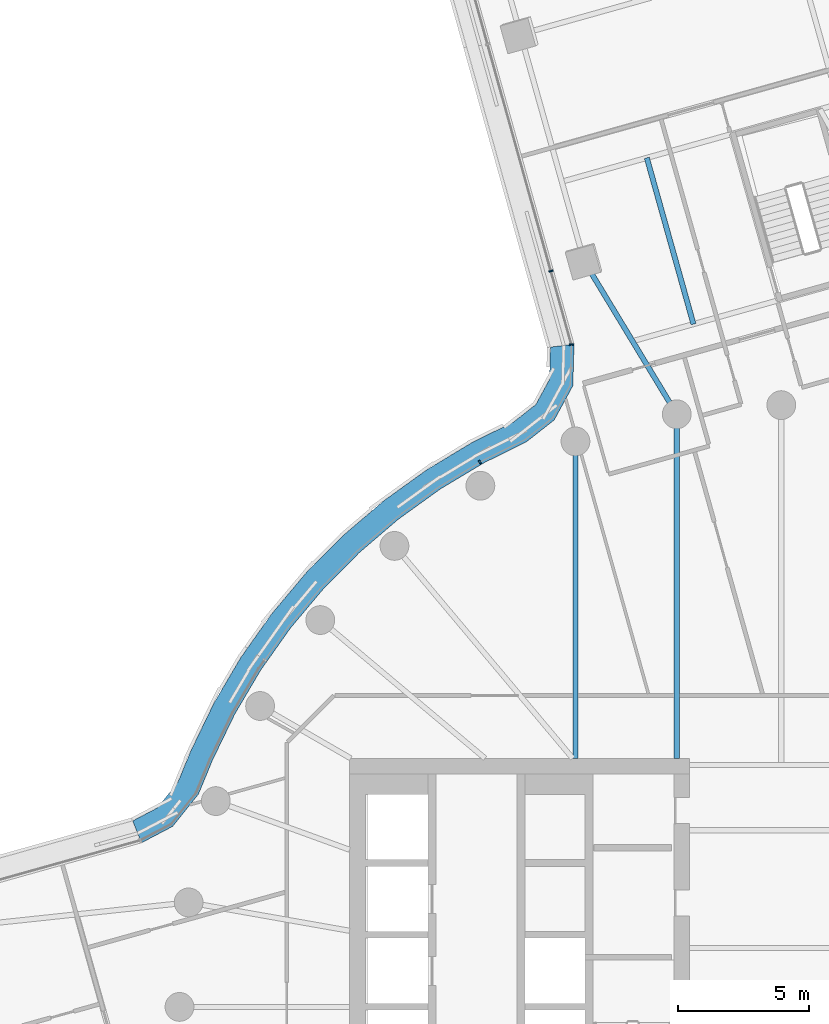
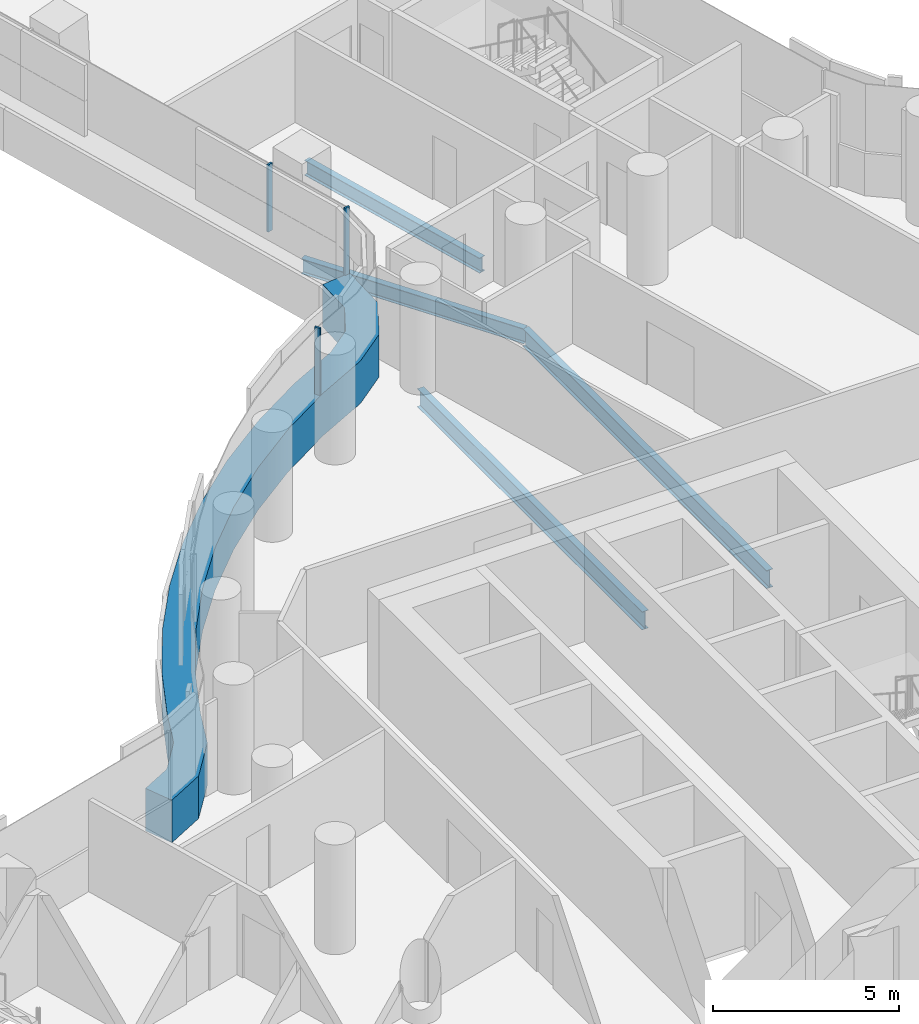
# One storey, part 13 of 30: 4 beams, 4 members, 2 elements without a shape of their own.
"""IFC4 building model written with IfcOpenShell, lengths in metres."""

from ifc_helpers import new_model, si_unit, direction, frame, origin, origin_2d, place, context, subcontext, project, spatial, polyline, rectangle, i_section, outline, extrude, material, layer, layer_set, material_profile, profile_set, type_object, element, aggregate, save


model = new_model("IFC4")

# Units and contexts
model_context = context("Model", 3, precision=1e-05, world=origin(), true_north=direction((0.0, 1.0)))
body_context = subcontext(model_context, "Body", "Model", "MODEL_VIEW")
ifc_project = project(units=[si_unit("LENGTHUNIT", "METRE"), si_unit("AREAUNIT", "SQUARE_METRE"), si_unit("VOLUMEUNIT", "CUBIC_METRE"), si_unit("PLANEANGLEUNIT", "RADIAN"), si_unit("MASSUNIT", "GRAM", prefix="KILO")], contexts=[model_context])

# Site, building, storey
site_placement = place(None, origin())
site = spatial("IfcSite", under=ifc_project, at=site_placement, CompositionType="ELEMENT")
building_placement = place(site_placement, origin())
building = spatial("IfcBuilding", under=site, at=building_placement, Name="Tamarind Cross Interchange Tower", CompositionType="ELEMENT")
storey_placement = place(building_placement, frame((0.0, 0.0, 91.0)))
storey = spatial("IfcBuildingStorey", under=building, at=storey_placement, Name="L21", CompositionType="ELEMENT", Elevation=91.0)

# Beams
ifc_material_1 = material(Name="Steel Q355B", Category="steel")
ifc_material_profile_1 = material_profile(ifc_material_1, i_section(OverallWidth=0.198974609375, OverallDepth=0.49609375, WebThickness=0.009033203125, FlangeThickness=0.013916015625, FilletRadius=0.012939453125, at=origin_2d()), Name="HN 496x199x9x14")
ifc_profile_set_1 = profile_set([ifc_material_profile_1], Name="Steel Q355B")
beam_type_1 = type_object("IfcBeamType", Name="Composite beam HN 496x199x9x14 Q355B", PredefinedType="BEAM", material=ifc_profile_set_1)
beam_1_placement = place(storey_placement, frame((-7.53759765625, 28.505615234375, -0.387939453125), z_axis=(0.517791686406, -0.855506732579, 0.0), x_axis=(0.855506732579, 0.517791686406, 0.0)))
element("IfcBeam", 1, at=beam_1_placement, inside=storey, type_object=beam_type_1, Name="Beam N-linkep", PredefinedType="BEAM", context=body_context, shape_type="SweptSolid", body=[
    extrude(i_section(OverallWidth=0.198974609375, OverallDepth=0.49609375, WebThickness=0.009033203125, FlangeThickness=0.013916015625, FilletRadius=0.012939453125, at=origin_2d()), origin(), (0.0, 0.0, 1.0), 6.843994140625),
])
beam_2_placement = place(storey_placement, frame((-3.356201171875, 26.095703125, -0.387939453125), z_axis=(-0.270115617095, 0.962827893967, 0.0), x_axis=(-0.962827893967, -0.270115617095, 0.0)))
element("IfcBeam", 2, at=beam_2_placement, inside=storey, type_object=beam_type_1, Name="Beam N-stripp", PredefinedType="BEAM", context=body_context, shape_type="SweptSolid", body=[
    extrude(i_section(OverallWidth=0.198974609375, OverallDepth=0.49609375, WebThickness=0.009033203125, FlangeThickness=0.013916015625, FilletRadius=0.012939453125, at=origin_2d()), origin(), (0.0, 0.0, 1.0), 6.599853515625),
])
ifc_material_profile_2 = material_profile(ifc_material_1, i_section(OverallWidth=0.198974609375, OverallDepth=0.595947265625, WebThickness=0.010009765625, FlangeThickness=0.014892578125, FilletRadius=0.012939453125, at=origin_2d()), Name="HN 596x199x10x15")
ifc_profile_set_2 = profile_set([ifc_material_profile_2], Name="Steel Q355B")
beam_type_2 = type_object("IfcBeamType", Name="Composite beam HN 596x199x10x15 Q355B", PredefinedType="BEAM", material=ifc_profile_set_2)
beam_3_placement = place(storey_placement, frame((-3.993896484375, 22.650634765625, -0.43798828125), z_axis=(0.0, -1.0, 0.0), x_axis=(1.0, 0.0, 0.0)))
element("IfcBeam", 3, at=beam_3_placement, inside=storey, type_object=beam_type_2, Name="Beam HH10", PredefinedType="BEAM", context=body_context, shape_type="SweptSolid", body=[
    extrude(i_section(OverallWidth=0.198974609375, OverallDepth=0.595947265625, WebThickness=0.010009765625, FlangeThickness=0.014892578125, FilletRadius=0.012939453125, at=origin_2d()), origin(), (0.0, 0.0, 1.0), 13.150634765625),
])
beam_4_placement = place(storey_placement, frame((-7.866455078125, 21.613037109375, -0.43798828125), z_axis=(0.0, -1.0, 0.0), x_axis=(1.0, 0.0, 0.0)))
element("IfcBeam", 4, at=beam_4_placement, inside=storey, type_object=beam_type_2, Name="Beam HH11", PredefinedType="BEAM", context=body_context, shape_type="SweptSolid", body=[
    extrude(i_section(OverallWidth=0.198974609375, OverallDepth=0.595947265625, WebThickness=0.010009765625, FlangeThickness=0.014892578125, FilletRadius=0.012939453125, at=origin_2d()), origin(), (0.0, 0.0, 1.0), 12.113037109375),
])

# Curtain wall, member
ifc_material_2 = material(Name="Aluminium 6063-T6", Category="aluminium")
ifc_layer = layer(ifc_material_2, 0.159912109375)
ifc_layer_set = layer_set([ifc_layer], Name="Aluminium 6063-T6")
curtain_wall_type = type_object("IfcCurtainWallType", Name="Office curtain wall, 9.0 m bays", PredefinedType="NOTDEFINED", material=ifc_layer_set)
curtain_wall_1_placement = place(storey_placement, origin())
curtain_wall_1 = element("IfcCurtainWall", 5, at=curtain_wall_1_placement, inside=storey, type_object=curtain_wall_type, Name="CWS-L21-10", PredefinedType="NOTDEFINED")
ifc_material_3 = material(Name="Aluminium and insulated spandrel panel", Category="aluminium")
member_type_1 = type_object("IfcMemberType", Name="Floor-edge blade transom", PredefinedType="USERDEFINED", material=ifc_material_3)
member_1_placement = place(storey_placement, origin())
member_1 = element("IfcMember", 6, at=member_1_placement, type_object=member_type_1, Name="CWT-L21-10", ObjectType="TRANSOM", PredefinedType="USERDEFINED", context=body_context, shape_type="SweptSolid", body=[
    extrude(outline(polyline([(-7.920166015625, 25.32861328125), (-7.9658203125, 23.739013671875), (-8.677734375, 22.4296875), (-9.740478515625, 21.595947265625), (-11.367431640625, 20.791015625), (-13.045654296875, 19.78125), (-14.634521484375, 18.636474609375), (-16.12353515625, 17.3642578125), (-17.50244140625, 15.973388671875), (-18.76171875, 14.4736328125), (-19.892822265625, 12.874755859375), (-20.88818359375, 11.188232421875), (-21.7421875, 9.421875), (-22.275390625, 8.130126953125), (-23.25927734375, 6.89794921875), (-24.455078125, 6.27001953125), (-24.78955078125, 7.11083984375), (-23.844970703125, 7.607177734375), (-23.058349609375, 8.591796875), (-22.56396484375, 9.789794921875), (-21.68212890625, 11.613525390625), (-20.64892578125, 13.3642578125), (-19.474853515625, 15.023681640625), (-18.167724609375, 16.580810546875), (-16.736572265625, 18.0244140625), (-15.19091796875, 19.344970703125), (-13.54150390625, 20.533203125), (-11.7998046875, 21.581298828125), (-10.222900390625, 22.361328125), (-9.379638671875, 23.02294921875), (-8.859375, 23.97998046875), (-8.82373046875, 25.218017578125), (-7.920166015625, 25.32861328125)])), origin(), (0.0, 0.0, 1.0), 1.39990234375),
])

curtain_wall_2_placement = place(storey_placement, origin())
curtain_wall_2 = element("IfcCurtainWall", 7, at=curtain_wall_2_placement, inside=storey, type_object=curtain_wall_type, Name="CWS-L21-09", PredefinedType="NOTDEFINED")
ifc_material_profile_3 = material_profile(ifc_material_2, rectangle(XDim=0.06005859375, YDim=0.159912109375, at=origin_2d()), Name="Mullion CW1")
ifc_profile_set_3 = profile_set([ifc_material_profile_3], Name="Aluminium 6063-T6")
member_type_2 = type_object("IfcMemberType", Name="Mullion CW1", PredefinedType="MULLION", material=ifc_profile_set_3)
member_2_placement = place(storey_placement, frame((-8.802978515625, 28.11962890625, 1.39990234375), z_axis=(0.0, 0.0, 1.0), x_axis=(0.26883067316, -0.963187452767, 0.0)))
member_2 = element("IfcMember", 8, at=member_2_placement, type_object=member_type_2, Name="CWM-L21-09-02", PredefinedType="MULLION", context=body_context, shape_type="SweptSolid", body=[
    extrude(rectangle(XDim=0.06005859375, YDim=0.159912109375, at=origin_2d()), origin(), (0.0, 0.0, 1.0), 2.210205078125),
])
aggregate(curtain_wall_2, [member_2])

# Member
member_3_placement = place(storey_placement, frame((-8.020751953125, 25.31640625, 1.39990234375), z_axis=(0.0, 0.0, 1.0), x_axis=(0.121439197982, -0.992598872251, 0.0)))
member_3 = element("IfcMember", 9, at=member_3_placement, type_object=member_type_2, Name="CWM-L21-10-00", PredefinedType="MULLION", context=body_context, shape_type="SweptSolid", body=[
    extrude(rectangle(XDim=0.06005859375, YDim=0.159912109375, at=origin_2d()), origin(), (0.0, 0.0, 1.0), 2.210205078125),
])

member_4_placement = place(storey_placement, frame((-11.517578125, 20.8173828125, 1.39990234375), z_axis=(0.0, 0.0, 1.0), x_axis=(-0.856843065292, -0.515577308909, 0.0)))
member_4 = element("IfcMember", 10, at=member_4_placement, type_object=member_type_2, Name="CWM-L21-10-01", PredefinedType="MULLION", context=body_context, shape_type="SweptSolid", body=[
    extrude(rectangle(XDim=0.06005859375, YDim=0.159912109375, at=origin_2d()), origin(), (0.0, 0.0, 1.0), 2.210205078125),
])

aggregate(curtain_wall_1, [member_3, member_4, member_1])

save(model, "model.ifc")
